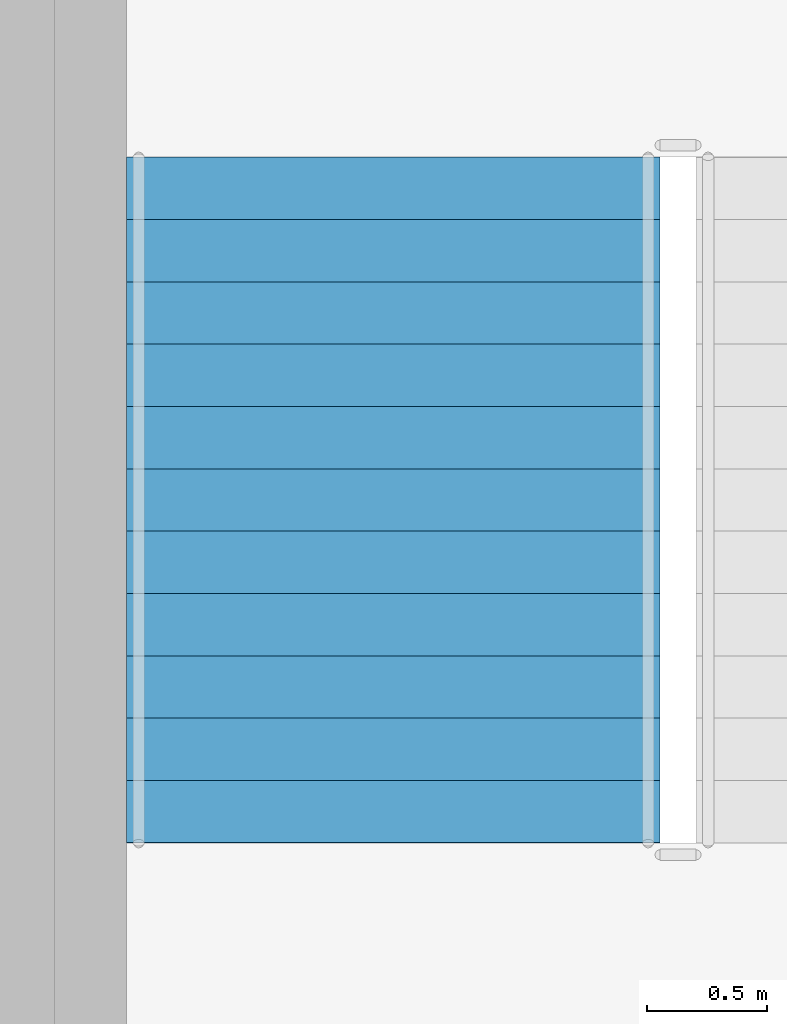
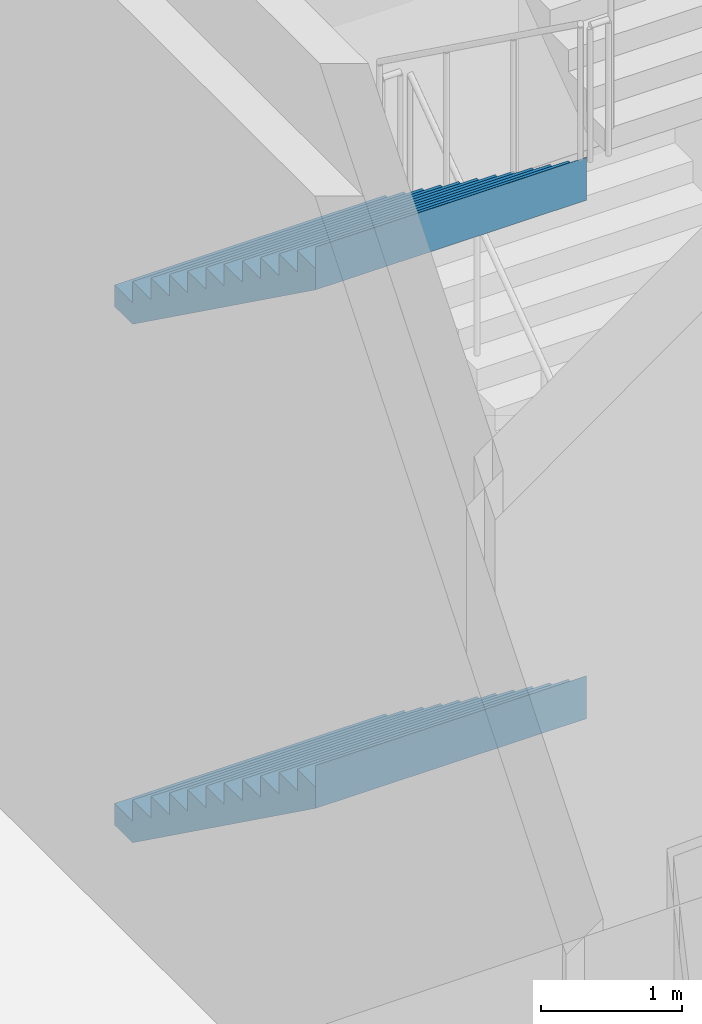
# One storey, part 15 of 35: 2 stair flights, 1 element without a shape of its own.
"""IFC4 building model written with IfcOpenShell, lengths in metres."""

from ifc_helpers import new_model, si_unit, direction, frame, origin, place, context, subcontext, project, spatial, triangles, material, type_object, element, aggregate, save


model = new_model("IFC4")

# Units and contexts
model_context = context("Model", 3, precision=1e-05, world=origin(), true_north=direction((0.0, 1.0)))
body_context = subcontext(model_context, "Body", "Model", "MODEL_VIEW")
ifc_project = project(units=[si_unit("LENGTHUNIT", "METRE"), si_unit("AREAUNIT", "SQUARE_METRE"), si_unit("VOLUMEUNIT", "CUBIC_METRE"), si_unit("PLANEANGLEUNIT", "RADIAN"), si_unit("MASSUNIT", "GRAM", prefix="KILO")], contexts=[model_context])

# Site, building, storey
site_placement = place(None, origin())
site = spatial("IfcSite", under=ifc_project, at=site_placement, CompositionType="ELEMENT")
building_placement = place(site_placement, origin())
building = spatial("IfcBuilding", under=site, at=building_placement, Name="Sahrelin Media Tower", CompositionType="ELEMENT")
storey_placement = place(building_placement, frame((0.0, 0.0, 8.0)))
storey = spatial("IfcBuildingStorey", under=building, at=storey_placement, Name="L01", CompositionType="ELEMENT", Elevation=8.0)

# Stair, stair flights
ifc_material = material(Name="Concrete C40/50", Category="concrete")
stair_type = type_object("IfcStairType", Name="Podium stair 2225", PredefinedType="HALF_TURN_STAIR", material=ifc_material)
stair_placement = place(storey_placement, origin())
stair = element("IfcStair", 1, at=stair_placement, inside=storey, type_object=stair_type, Name="L01 Podium stair PS3", PredefinedType="HALF_TURN_STAIR")
stair_flight_type = type_object("IfcStairFlightType", Name="Stair flight 2225", PredefinedType="STRAIGHT", material=ifc_material)
stair_flight_1_placement = place(storey_placement, frame((-11.83740234375, -30.625, 0.0), z_axis=(0.0, 0.0, 1.0), x_axis=(0.0, -1.0, 0.0)))
stair_flight_1 = element("IfcStairFlight", 2, at=stair_flight_1_placement, type_object=stair_flight_type, Name="PS3 flight 1", NumberOfRisers=12, NumberOfTreads=11, PredefinedType="STRAIGHT", RiserHeight=0.1875, TreadLength=0.26, context=body_context, shape_type="Tessellation", body=[
    triangles([(0.25634765625, 1.112548828125, 0.0), (0.25634765625, 0.794677734375, 0.0), (0.25634765625, 0.476806640625, 0.0), (0.25634765625, 0.158935546875, 0.0), (0.25634765625, -0.158935546875, 0.0), (0.25634765625, -0.476806640625, 0.0), (0.25634765625, -0.794677734375, 0.0), (0.25634765625, -1.112548828125, 0.0), (2.860107421875, 1.112548828125, 1.877685546875), (2.860107421875, 0.794677734375, 1.877685546875), (2.860107421875, 0.476806640625, 1.877685546875), (2.860107421875, 0.158935546875, 1.877685546875), (2.860107421875, -0.158935546875, 1.877685546875), (2.860107421875, -0.476806640625, 1.877685546875), (2.860107421875, -0.794677734375, 1.877685546875), (2.860107421875, -1.112548828125, 1.877685546875), (2.860107421875, 1.112548828125, 2.25), (2.860107421875, 0.794677734375, 2.25), (2.860107421875, 0.476806640625, 2.25), (2.860107421875, 0.158935546875, 2.25), (2.860107421875, -0.158935546875, 2.25), (2.860107421875, -0.476806640625, 2.25), (2.860107421875, -0.794677734375, 2.25), (2.860107421875, -1.112548828125, 2.25), (2.85791015625, 1.112548828125, 2.25), (2.85791015625, 0.794677734375, 2.25), (2.85791015625, 0.476806640625, 2.25), (2.85791015625, 0.158935546875, 2.25), (2.85791015625, -0.158935546875, 2.25), (2.85791015625, -0.476806640625, 2.25), (2.85791015625, -0.794677734375, 2.25), (2.85791015625, -1.112548828125, 2.25), (2.85791015625, 1.112548828125, 2.0625), (2.85791015625, 0.794677734375, 2.0625), (2.85791015625, 0.476806640625, 2.0625), (2.85791015625, 0.158935546875, 2.0625), (2.85791015625, -0.158935546875, 2.0625), (2.85791015625, -0.476806640625, 2.0625), (2.85791015625, -0.794677734375, 2.0625), (2.85791015625, -1.112548828125, 2.0625), (2.60009765625, 1.112548828125, 2.0625), (2.60009765625, 0.794677734375, 2.0625), (2.60009765625, 0.476806640625, 2.0625), (2.60009765625, 0.158935546875, 2.0625), (2.60009765625, -0.158935546875, 2.0625), (2.60009765625, -0.476806640625, 2.0625), (2.60009765625, -0.794677734375, 2.0625), (2.60009765625, -1.112548828125, 2.0625), (2.60009765625, 1.112548828125, 1.875), (2.60009765625, 0.794677734375, 1.875), (2.60009765625, 0.476806640625, 1.875), (2.60009765625, 0.158935546875, 1.875), (2.60009765625, -0.158935546875, 1.875), (2.60009765625, -0.476806640625, 1.875), (2.60009765625, -0.794677734375, 1.875), (2.60009765625, -1.112548828125, 1.875), (2.340087890625, 1.112548828125, 1.875), (2.340087890625, 0.794677734375, 1.875), (2.340087890625, 0.476806640625, 1.875), (2.340087890625, 0.158935546875, 1.875), (2.340087890625, -0.158935546875, 1.875), (2.340087890625, -0.476806640625, 1.875), (2.340087890625, -0.794677734375, 1.875), (2.340087890625, -1.112548828125, 1.875), (2.340087890625, 1.112548828125, 1.6875), (2.340087890625, 0.794677734375, 1.6875), (2.340087890625, 0.476806640625, 1.6875), (2.340087890625, 0.158935546875, 1.6875), (2.340087890625, -0.158935546875, 1.6875), (2.340087890625, -0.476806640625, 1.6875), (2.340087890625, -0.794677734375, 1.6875), (2.340087890625, -1.112548828125, 1.6875), (2.080078125, 1.112548828125, 1.6875), (2.080078125, 0.794677734375, 1.6875), (2.080078125, 0.476806640625, 1.6875), (2.080078125, 0.158935546875, 1.6875), (2.080078125, -0.158935546875, 1.6875), (2.080078125, -0.476806640625, 1.6875), (2.080078125, -0.794677734375, 1.6875), (2.080078125, -1.112548828125, 1.6875), (2.080078125, 1.112548828125, 1.5), (2.080078125, 0.794677734375, 1.5), (2.080078125, 0.476806640625, 1.5), (2.080078125, 0.158935546875, 1.5), (2.080078125, -0.158935546875, 1.5), (2.080078125, -0.476806640625, 1.5), (2.080078125, -0.794677734375, 1.5), (2.080078125, -1.112548828125, 1.5), (1.820068359375, 1.112548828125, 1.5), (1.820068359375, 0.794677734375, 1.5), (1.820068359375, 0.476806640625, 1.5), (1.820068359375, 0.158935546875, 1.5), (1.820068359375, -0.158935546875, 1.5), (1.820068359375, -0.476806640625, 1.5), (1.820068359375, -0.794677734375, 1.5), (1.820068359375, -1.112548828125, 1.5), (1.820068359375, 1.112548828125, 1.3125), (1.820068359375, 0.794677734375, 1.3125), (1.820068359375, 0.476806640625, 1.3125), (1.820068359375, 0.158935546875, 1.3125), (1.820068359375, -0.158935546875, 1.3125), (1.820068359375, -0.476806640625, 1.3125), (1.820068359375, -0.794677734375, 1.3125), (1.820068359375, -1.112548828125, 1.3125), (1.56005859375, 1.112548828125, 1.3125), (1.56005859375, 0.794677734375, 1.3125), (1.56005859375, 0.476806640625, 1.3125), (1.56005859375, 0.158935546875, 1.3125), (1.56005859375, -0.158935546875, 1.3125), (1.56005859375, -0.476806640625, 1.3125), (1.56005859375, -0.794677734375, 1.3125), (1.56005859375, -1.112548828125, 1.3125), (1.56005859375, 1.112548828125, 1.125), (1.56005859375, 0.794677734375, 1.125), (1.56005859375, 0.476806640625, 1.125), (1.56005859375, 0.158935546875, 1.125), (1.56005859375, -0.158935546875, 1.125), (1.56005859375, -0.476806640625, 1.125), (1.56005859375, -0.794677734375, 1.125), (1.56005859375, -1.112548828125, 1.125), (1.300048828125, 1.112548828125, 1.125), (1.300048828125, 0.794677734375, 1.125), (1.300048828125, 0.476806640625, 1.125), (1.300048828125, 0.158935546875, 1.125), (1.300048828125, -0.158935546875, 1.125), (1.300048828125, -0.476806640625, 1.125), (1.300048828125, -0.794677734375, 1.125), (1.300048828125, -1.112548828125, 1.125), (1.300048828125, 1.112548828125, 0.9375), (1.300048828125, 0.794677734375, 0.9375), (1.300048828125, 0.476806640625, 0.9375), (1.300048828125, 0.158935546875, 0.9375), (1.300048828125, -0.158935546875, 0.9375), (1.300048828125, -0.476806640625, 0.9375), (1.300048828125, -0.794677734375, 0.9375), (1.300048828125, -1.112548828125, 0.9375), (1.0400390625, 1.112548828125, 0.9375), (1.0400390625, 0.794677734375, 0.9375), (1.0400390625, 0.476806640625, 0.9375), (1.0400390625, 0.158935546875, 0.9375), (1.0400390625, -0.158935546875, 0.9375), (1.0400390625, -0.476806640625, 0.9375), (1.0400390625, -0.794677734375, 0.9375), (1.0400390625, -1.112548828125, 0.9375), (1.0400390625, 1.112548828125, 0.75), (1.0400390625, 0.794677734375, 0.75), (1.0400390625, 0.476806640625, 0.75), (1.0400390625, 0.158935546875, 0.75), (1.0400390625, -0.158935546875, 0.75), (1.0400390625, -0.476806640625, 0.75), (1.0400390625, -0.794677734375, 0.75), (1.0400390625, -1.112548828125, 0.75), (0.780029296875, 1.112548828125, 0.75), (0.780029296875, 0.794677734375, 0.75), (0.780029296875, 0.476806640625, 0.75), (0.780029296875, 0.158935546875, 0.75), (0.780029296875, -0.158935546875, 0.75), (0.780029296875, -0.476806640625, 0.75), (0.780029296875, -0.794677734375, 0.75), (0.780029296875, -1.112548828125, 0.75), (0.780029296875, 1.112548828125, 0.5625), (0.780029296875, 0.794677734375, 0.5625), (0.780029296875, 0.476806640625, 0.5625), (0.780029296875, 0.158935546875, 0.5625), (0.780029296875, -0.158935546875, 0.5625), (0.780029296875, -0.476806640625, 0.5625), (0.780029296875, -0.794677734375, 0.5625), (0.780029296875, -1.112548828125, 0.5625), (0.52001953125, 1.112548828125, 0.5625), (0.52001953125, 0.794677734375, 0.5625), (0.52001953125, 0.476806640625, 0.5625), (0.52001953125, 0.158935546875, 0.5625), (0.52001953125, -0.158935546875, 0.5625), (0.52001953125, -0.476806640625, 0.5625), (0.52001953125, -0.794677734375, 0.5625), (0.52001953125, -1.112548828125, 0.5625), (0.52001953125, 1.112548828125, 0.375), (0.52001953125, 0.794677734375, 0.375), (0.52001953125, 0.476806640625, 0.375), (0.52001953125, 0.158935546875, 0.375), (0.52001953125, -0.158935546875, 0.375), (0.52001953125, -0.476806640625, 0.375), (0.52001953125, -0.794677734375, 0.375), (0.52001953125, -1.112548828125, 0.375), (0.260009765625, 1.112548828125, 0.375), (0.260009765625, 0.794677734375, 0.375), (0.260009765625, 0.476806640625, 0.375), (0.260009765625, 0.158935546875, 0.375), (0.260009765625, -0.158935546875, 0.375), (0.260009765625, -0.476806640625, 0.375), (0.260009765625, -0.794677734375, 0.375), (0.260009765625, -1.112548828125, 0.375), (0.260009765625, 1.112548828125, 0.1875), (0.260009765625, 0.794677734375, 0.1875), (0.260009765625, 0.476806640625, 0.1875), (0.260009765625, 0.158935546875, 0.1875), (0.260009765625, -0.158935546875, 0.1875), (0.260009765625, -0.476806640625, 0.1875), (0.260009765625, -0.794677734375, 0.1875), (0.260009765625, -1.112548828125, 0.1875), (0.0, 1.112548828125, 0.1875), (0.0, 0.794677734375, 0.1875), (0.0, 0.476806640625, 0.1875), (0.0, 0.158935546875, 0.1875), (0.0, -0.158935546875, 0.1875), (0.0, -0.476806640625, 0.1875), (0.0, -0.794677734375, 0.1875), (0.0, -1.112548828125, 0.1875), (0.0, 1.112548828125, 0.0), (0.0, 0.794677734375, 0.0), (0.0, 0.476806640625, 0.0), (0.0, 0.158935546875, 0.0), (0.0, -0.158935546875, 0.0), (0.0, -0.476806640625, 0.0), (0.0, -0.794677734375, 0.0), (0.0, -1.112548828125, 0.0)], [[1, 9, 10], [1, 10, 2], [2, 10, 11], [2, 11, 3], [3, 11, 12], [3, 12, 4], [4, 12, 13], [4, 13, 5], [5, 13, 14], [5, 14, 6], [6, 14, 15], [6, 15, 7], [7, 15, 16], [7, 16, 8], [9, 17, 18], [9, 18, 10], [10, 18, 19], [10, 19, 11], [11, 19, 20], [11, 20, 12], [12, 20, 21], [12, 21, 13], [13, 21, 22], [13, 22, 14], [14, 22, 23], [14, 23, 15], [15, 23, 24], [15, 24, 16], [17, 25, 26], [17, 26, 18], [18, 26, 27], [18, 27, 19], [19, 27, 28], [19, 28, 20], [20, 28, 29], [20, 29, 21], [21, 29, 30], [21, 30, 22], [22, 30, 31], [22, 31, 23], [23, 31, 32], [23, 32, 24], [25, 33, 34], [25, 34, 26], [26, 34, 35], [26, 35, 27], [27, 35, 36], [27, 36, 28], [28, 36, 37], [28, 37, 29], [29, 37, 38], [29, 38, 30], [30, 38, 39], [30, 39, 31], [31, 39, 40], [31, 40, 32], [33, 41, 42], [33, 42, 34], [34, 42, 43], [34, 43, 35], [35, 43, 44], [35, 44, 36], [36, 44, 45], [36, 45, 37], [37, 45, 46], [37, 46, 38], [38, 46, 47], [38, 47, 39], [39, 47, 48], [39, 48, 40], [41, 49, 50], [41, 50, 42], [42, 50, 51], [42, 51, 43], [43, 51, 52], [43, 52, 44], [44, 52, 53], [44, 53, 45], [45, 53, 54], [45, 54, 46], [46, 54, 55], [46, 55, 47], [47, 55, 56], [47, 56, 48], [49, 57, 58], [49, 58, 50], [50, 58, 59], [50, 59, 51], [51, 59, 60], [51, 60, 52], [52, 60, 61], [52, 61, 53], [53, 61, 62], [53, 62, 54], [54, 62, 63], [54, 63, 55], [55, 63, 64], [55, 64, 56], [57, 65, 66], [57, 66, 58], [58, 66, 67], [58, 67, 59], [59, 67, 68], [59, 68, 60], [60, 68, 69], [60, 69, 61], [61, 69, 70], [61, 70, 62], [62, 70, 71], [62, 71, 63], [63, 71, 72], [63, 72, 64], [65, 73, 74], [65, 74, 66], [66, 74, 75], [66, 75, 67], [67, 75, 76], [67, 76, 68], [68, 76, 77], [68, 77, 69], [69, 77, 78], [69, 78, 70], [70, 78, 79], [70, 79, 71], [71, 79, 80], [71, 80, 72], [73, 81, 82], [73, 82, 74], [74, 82, 83], [74, 83, 75], [75, 83, 84], [75, 84, 76], [76, 84, 85], [76, 85, 77], [77, 85, 86], [77, 86, 78], [78, 86, 87], [78, 87, 79], [79, 87, 88], [79, 88, 80], [81, 89, 90], [81, 90, 82], [82, 90, 91], [82, 91, 83], [83, 91, 92], [83, 92, 84], [84, 92, 93], [84, 93, 85], [85, 93, 94], [85, 94, 86], [86, 94, 95], [86, 95, 87], [87, 95, 96], [87, 96, 88], [89, 97, 98], [89, 98, 90], [90, 98, 99], [90, 99, 91], [91, 99, 100], [91, 100, 92], [92, 100, 101], [92, 101, 93], [93, 101, 102], [93, 102, 94], [94, 102, 103], [94, 103, 95], [95, 103, 104], [95, 104, 96], [97, 105, 106], [97, 106, 98], [98, 106, 107], [98, 107, 99], [99, 107, 108], [99, 108, 100], [100, 108, 109], [100, 109, 101], [101, 109, 110], [101, 110, 102], [102, 110, 111], [102, 111, 103], [103, 111, 112], [103, 112, 104], [105, 113, 114], [105, 114, 106], [106, 114, 115], [106, 115, 107], [107, 115, 116], [107, 116, 108], [108, 116, 117], [108, 117, 109], [109, 117, 118], [109, 118, 110], [110, 118, 119], [110, 119, 111], [111, 119, 120], [111, 120, 112], [113, 121, 122], [113, 122, 114], [114, 122, 123], [114, 123, 115], [115, 123, 124], [115, 124, 116], [116, 124, 125], [116, 125, 117], [117, 125, 126], [117, 126, 118], [118, 126, 127], [118, 127, 119], [119, 127, 128], [119, 128, 120], [121, 129, 130], [121, 130, 122], [122, 130, 131], [122, 131, 123], [123, 131, 132], [123, 132, 124], [124, 132, 133], [124, 133, 125], [125, 133, 134], [125, 134, 126], [126, 134, 135], [126, 135, 127], [127, 135, 136], [127, 136, 128], [129, 137, 138], [129, 138, 130], [130, 138, 139], [130, 139, 131], [131, 139, 140], [131, 140, 132], [132, 140, 141], [132, 141, 133], [133, 141, 142], [133, 142, 134], [134, 142, 143], [134, 143, 135], [135, 143, 144], [135, 144, 136], [137, 145, 146], [137, 146, 138], [138, 146, 147], [138, 147, 139], [139, 147, 148], [139, 148, 140], [140, 148, 149], [140, 149, 141], [141, 149, 150], [141, 150, 142], [142, 150, 151], [142, 151, 143], [143, 151, 152], [143, 152, 144], [145, 153, 154], [145, 154, 146], [146, 154, 155], [146, 155, 147], [147, 155, 156], [147, 156, 148], [148, 156, 157], [148, 157, 149], [149, 157, 158], [149, 158, 150], [150, 158, 159], [150, 159, 151], [151, 159, 160], [151, 160, 152], [153, 161, 162], [153, 162, 154], [154, 162, 163], [154, 163, 155], [155, 163, 164], [155, 164, 156], [156, 164, 165], [156, 165, 157], [157, 165, 166], [157, 166, 158], [158, 166, 167], [158, 167, 159], [159, 167, 168], [159, 168, 160], [161, 169, 170], [161, 170, 162], [162, 170, 171], [162, 171, 163], [163, 171, 172], [163, 172, 164], [164, 172, 173], [164, 173, 165], [165, 173, 174], [165, 174, 166], [166, 174, 175], [166, 175, 167], [167, 175, 176], [167, 176, 168], [169, 177, 178], [169, 178, 170], [170, 178, 179], [170, 179, 171], [171, 179, 180], [171, 180, 172], [172, 180, 181], [172, 181, 173], [173, 181, 182], [173, 182, 174], [174, 182, 183], [174, 183, 175], [175, 183, 184], [175, 184, 176], [177, 185, 186], [177, 186, 178], [178, 186, 187], [178, 187, 179], [179, 187, 188], [179, 188, 180], [180, 188, 189], [180, 189, 181], [181, 189, 190], [181, 190, 182], [182, 190, 191], [182, 191, 183], [183, 191, 192], [183, 192, 184], [185, 193, 194], [185, 194, 186], [186, 194, 195], [186, 195, 187], [187, 195, 196], [187, 196, 188], [188, 196, 197], [188, 197, 189], [189, 197, 198], [189, 198, 190], [190, 198, 199], [190, 199, 191], [191, 199, 200], [191, 200, 192], [193, 201, 202], [193, 202, 194], [194, 202, 203], [194, 203, 195], [195, 203, 204], [195, 204, 196], [196, 204, 205], [196, 205, 197], [197, 205, 206], [197, 206, 198], [198, 206, 207], [198, 207, 199], [199, 207, 208], [199, 208, 200], [201, 209, 210], [201, 210, 202], [202, 210, 211], [202, 211, 203], [203, 211, 212], [203, 212, 204], [204, 212, 213], [204, 213, 205], [205, 213, 214], [205, 214, 206], [206, 214, 215], [206, 215, 207], [207, 215, 216], [207, 216, 208], [209, 1, 2], [209, 2, 210], [210, 2, 3], [210, 3, 211], [211, 3, 4], [211, 4, 212], [212, 4, 5], [212, 5, 213], [213, 5, 6], [213, 6, 214], [214, 6, 7], [214, 7, 215], [215, 7, 8], [215, 8, 216], [8, 208, 216], [1, 209, 201], [200, 184, 192], [193, 185, 177], [184, 168, 176], [177, 169, 161], [168, 152, 160], [161, 153, 145], [152, 136, 144], [145, 137, 129], [136, 120, 128], [129, 121, 113], [120, 104, 112], [113, 105, 97], [104, 88, 96], [97, 89, 81], [88, 72, 80], [81, 73, 65], [72, 56, 64], [65, 57, 49], [56, 40, 48], [49, 41, 33], [40, 24, 32], [33, 25, 17], [8, 200, 208], [1, 201, 193], [16, 56, 72], [9, 65, 49], [40, 16, 24], [33, 17, 9], [184, 200, 8], [177, 1, 193], [56, 16, 40], [49, 33, 9], [168, 184, 8], [161, 1, 177], [72, 88, 16], [65, 9, 81], [152, 168, 8], [145, 1, 161], [104, 16, 88], [97, 81, 9], [136, 152, 8], [129, 1, 145], [120, 16, 104], [113, 97, 9], [120, 136, 8], [113, 1, 129], [8, 16, 120], [1, 113, 9]], closed=True),
])
stair_flight_2_placement = place(storey_placement, frame((-11.83740234375, -30.625, 4.5), z_axis=(0.0, 0.0, 1.0), x_axis=(0.0, -1.0, 0.0)))
stair_flight_2 = element("IfcStairFlight", 3, at=stair_flight_2_placement, type_object=stair_flight_type, Name="PS3 flight 3", NumberOfRisers=12, NumberOfTreads=11, PredefinedType="STRAIGHT", RiserHeight=0.1875, TreadLength=0.26, context=body_context, shape_type="Tessellation", body=[
    triangles([(0.25634765625, 1.112548828125, 0.0), (0.25634765625, 0.794677734375, 0.0), (0.25634765625, 0.476806640625, 0.0), (0.25634765625, 0.158935546875, 0.0), (0.25634765625, -0.158935546875, 0.0), (0.25634765625, -0.476806640625, 0.0), (0.25634765625, -0.794677734375, 0.0), (0.25634765625, -1.112548828125, 0.0), (2.860107421875, 1.112548828125, 1.877685546875), (2.860107421875, 0.794677734375, 1.877685546875), (2.860107421875, 0.476806640625, 1.877685546875), (2.860107421875, 0.158935546875, 1.877685546875), (2.860107421875, -0.158935546875, 1.877685546875), (2.860107421875, -0.476806640625, 1.877685546875), (2.860107421875, -0.794677734375, 1.877685546875), (2.860107421875, -1.112548828125, 1.877685546875), (2.860107421875, 1.112548828125, 2.25), (2.860107421875, 0.794677734375, 2.25), (2.860107421875, 0.476806640625, 2.25), (2.860107421875, 0.158935546875, 2.25), (2.860107421875, -0.158935546875, 2.25), (2.860107421875, -0.476806640625, 2.25), (2.860107421875, -0.794677734375, 2.25), (2.860107421875, -1.112548828125, 2.25), (2.85791015625, 1.112548828125, 2.25), (2.85791015625, 0.794677734375, 2.25), (2.85791015625, 0.476806640625, 2.25), (2.85791015625, 0.158935546875, 2.25), (2.85791015625, -0.158935546875, 2.25), (2.85791015625, -0.476806640625, 2.25), (2.85791015625, -0.794677734375, 2.25), (2.85791015625, -1.112548828125, 2.25), (2.85791015625, 1.112548828125, 2.0625), (2.85791015625, 0.794677734375, 2.0625), (2.85791015625, 0.476806640625, 2.0625), (2.85791015625, 0.158935546875, 2.0625), (2.85791015625, -0.158935546875, 2.0625), (2.85791015625, -0.476806640625, 2.0625), (2.85791015625, -0.794677734375, 2.0625), (2.85791015625, -1.112548828125, 2.0625), (2.60009765625, 1.112548828125, 2.0625), (2.60009765625, 0.794677734375, 2.0625), (2.60009765625, 0.476806640625, 2.0625), (2.60009765625, 0.158935546875, 2.0625), (2.60009765625, -0.158935546875, 2.0625), (2.60009765625, -0.476806640625, 2.0625), (2.60009765625, -0.794677734375, 2.0625), (2.60009765625, -1.112548828125, 2.0625), (2.60009765625, 1.112548828125, 1.875), (2.60009765625, 0.794677734375, 1.875), (2.60009765625, 0.476806640625, 1.875), (2.60009765625, 0.158935546875, 1.875), (2.60009765625, -0.158935546875, 1.875), (2.60009765625, -0.476806640625, 1.875), (2.60009765625, -0.794677734375, 1.875), (2.60009765625, -1.112548828125, 1.875), (2.340087890625, 1.112548828125, 1.875), (2.340087890625, 0.794677734375, 1.875), (2.340087890625, 0.476806640625, 1.875), (2.340087890625, 0.158935546875, 1.875), (2.340087890625, -0.158935546875, 1.875), (2.340087890625, -0.476806640625, 1.875), (2.340087890625, -0.794677734375, 1.875), (2.340087890625, -1.112548828125, 1.875), (2.340087890625, 1.112548828125, 1.6875), (2.340087890625, 0.794677734375, 1.6875), (2.340087890625, 0.476806640625, 1.6875), (2.340087890625, 0.158935546875, 1.6875), (2.340087890625, -0.158935546875, 1.6875), (2.340087890625, -0.476806640625, 1.6875), (2.340087890625, -0.794677734375, 1.6875), (2.340087890625, -1.112548828125, 1.6875), (2.080078125, 1.112548828125, 1.6875), (2.080078125, 0.794677734375, 1.6875), (2.080078125, 0.476806640625, 1.6875), (2.080078125, 0.158935546875, 1.6875), (2.080078125, -0.158935546875, 1.6875), (2.080078125, -0.476806640625, 1.6875), (2.080078125, -0.794677734375, 1.6875), (2.080078125, -1.112548828125, 1.6875), (2.080078125, 1.112548828125, 1.5), (2.080078125, 0.794677734375, 1.5), (2.080078125, 0.476806640625, 1.5), (2.080078125, 0.158935546875, 1.5), (2.080078125, -0.158935546875, 1.5), (2.080078125, -0.476806640625, 1.5), (2.080078125, -0.794677734375, 1.5), (2.080078125, -1.112548828125, 1.5), (1.820068359375, 1.112548828125, 1.5), (1.820068359375, 0.794677734375, 1.5), (1.820068359375, 0.476806640625, 1.5), (1.820068359375, 0.158935546875, 1.5), (1.820068359375, -0.158935546875, 1.5), (1.820068359375, -0.476806640625, 1.5), (1.820068359375, -0.794677734375, 1.5), (1.820068359375, -1.112548828125, 1.5), (1.820068359375, 1.112548828125, 1.3125), (1.820068359375, 0.794677734375, 1.3125), (1.820068359375, 0.476806640625, 1.3125), (1.820068359375, 0.158935546875, 1.3125), (1.820068359375, -0.158935546875, 1.3125), (1.820068359375, -0.476806640625, 1.3125), (1.820068359375, -0.794677734375, 1.3125), (1.820068359375, -1.112548828125, 1.3125), (1.56005859375, 1.112548828125, 1.3125), (1.56005859375, 0.794677734375, 1.3125), (1.56005859375, 0.476806640625, 1.3125), (1.56005859375, 0.158935546875, 1.3125), (1.56005859375, -0.158935546875, 1.3125), (1.56005859375, -0.476806640625, 1.3125), (1.56005859375, -0.794677734375, 1.3125), (1.56005859375, -1.112548828125, 1.3125), (1.56005859375, 1.112548828125, 1.125), (1.56005859375, 0.794677734375, 1.125), (1.56005859375, 0.476806640625, 1.125), (1.56005859375, 0.158935546875, 1.125), (1.56005859375, -0.158935546875, 1.125), (1.56005859375, -0.476806640625, 1.125), (1.56005859375, -0.794677734375, 1.125), (1.56005859375, -1.112548828125, 1.125), (1.300048828125, 1.112548828125, 1.125), (1.300048828125, 0.794677734375, 1.125), (1.300048828125, 0.476806640625, 1.125), (1.300048828125, 0.158935546875, 1.125), (1.300048828125, -0.158935546875, 1.125), (1.300048828125, -0.476806640625, 1.125), (1.300048828125, -0.794677734375, 1.125), (1.300048828125, -1.112548828125, 1.125), (1.300048828125, 1.112548828125, 0.9375), (1.300048828125, 0.794677734375, 0.9375), (1.300048828125, 0.476806640625, 0.9375), (1.300048828125, 0.158935546875, 0.9375), (1.300048828125, -0.158935546875, 0.9375), (1.300048828125, -0.476806640625, 0.9375), (1.300048828125, -0.794677734375, 0.9375), (1.300048828125, -1.112548828125, 0.9375), (1.0400390625, 1.112548828125, 0.9375), (1.0400390625, 0.794677734375, 0.9375), (1.0400390625, 0.476806640625, 0.9375), (1.0400390625, 0.158935546875, 0.9375), (1.0400390625, -0.158935546875, 0.9375), (1.0400390625, -0.476806640625, 0.9375), (1.0400390625, -0.794677734375, 0.9375), (1.0400390625, -1.112548828125, 0.9375), (1.0400390625, 1.112548828125, 0.75), (1.0400390625, 0.794677734375, 0.75), (1.0400390625, 0.476806640625, 0.75), (1.0400390625, 0.158935546875, 0.75), (1.0400390625, -0.158935546875, 0.75), (1.0400390625, -0.476806640625, 0.75), (1.0400390625, -0.794677734375, 0.75), (1.0400390625, -1.112548828125, 0.75), (0.780029296875, 1.112548828125, 0.75), (0.780029296875, 0.794677734375, 0.75), (0.780029296875, 0.476806640625, 0.75), (0.780029296875, 0.158935546875, 0.75), (0.780029296875, -0.158935546875, 0.75), (0.780029296875, -0.476806640625, 0.75), (0.780029296875, -0.794677734375, 0.75), (0.780029296875, -1.112548828125, 0.75), (0.780029296875, 1.112548828125, 0.5625), (0.780029296875, 0.794677734375, 0.5625), (0.780029296875, 0.476806640625, 0.5625), (0.780029296875, 0.158935546875, 0.5625), (0.780029296875, -0.158935546875, 0.5625), (0.780029296875, -0.476806640625, 0.5625), (0.780029296875, -0.794677734375, 0.5625), (0.780029296875, -1.112548828125, 0.5625), (0.52001953125, 1.112548828125, 0.5625), (0.52001953125, 0.794677734375, 0.5625), (0.52001953125, 0.476806640625, 0.5625), (0.52001953125, 0.158935546875, 0.5625), (0.52001953125, -0.158935546875, 0.5625), (0.52001953125, -0.476806640625, 0.5625), (0.52001953125, -0.794677734375, 0.5625), (0.52001953125, -1.112548828125, 0.5625), (0.52001953125, 1.112548828125, 0.375), (0.52001953125, 0.794677734375, 0.375), (0.52001953125, 0.476806640625, 0.375), (0.52001953125, 0.158935546875, 0.375), (0.52001953125, -0.158935546875, 0.375), (0.52001953125, -0.476806640625, 0.375), (0.52001953125, -0.794677734375, 0.375), (0.52001953125, -1.112548828125, 0.375), (0.260009765625, 1.112548828125, 0.375), (0.260009765625, 0.794677734375, 0.375), (0.260009765625, 0.476806640625, 0.375), (0.260009765625, 0.158935546875, 0.375), (0.260009765625, -0.158935546875, 0.375), (0.260009765625, -0.476806640625, 0.375), (0.260009765625, -0.794677734375, 0.375), (0.260009765625, -1.112548828125, 0.375), (0.260009765625, 1.112548828125, 0.1875), (0.260009765625, 0.794677734375, 0.1875), (0.260009765625, 0.476806640625, 0.1875), (0.260009765625, 0.158935546875, 0.1875), (0.260009765625, -0.158935546875, 0.1875), (0.260009765625, -0.476806640625, 0.1875), (0.260009765625, -0.794677734375, 0.1875), (0.260009765625, -1.112548828125, 0.1875), (0.0, 1.112548828125, 0.1875), (0.0, 0.794677734375, 0.1875), (0.0, 0.476806640625, 0.1875), (0.0, 0.158935546875, 0.1875), (0.0, -0.158935546875, 0.1875), (0.0, -0.476806640625, 0.1875), (0.0, -0.794677734375, 0.1875), (0.0, -1.112548828125, 0.1875), (0.0, 1.112548828125, 0.0), (0.0, 0.794677734375, 0.0), (0.0, 0.476806640625, 0.0), (0.0, 0.158935546875, 0.0), (0.0, -0.158935546875, 0.0), (0.0, -0.476806640625, 0.0), (0.0, -0.794677734375, 0.0), (0.0, -1.112548828125, 0.0)], [[1, 9, 10], [1, 10, 2], [2, 10, 11], [2, 11, 3], [3, 11, 12], [3, 12, 4], [4, 12, 13], [4, 13, 5], [5, 13, 14], [5, 14, 6], [6, 14, 15], [6, 15, 7], [7, 15, 16], [7, 16, 8], [9, 17, 18], [9, 18, 10], [10, 18, 19], [10, 19, 11], [11, 19, 20], [11, 20, 12], [12, 20, 21], [12, 21, 13], [13, 21, 22], [13, 22, 14], [14, 22, 23], [14, 23, 15], [15, 23, 24], [15, 24, 16], [17, 25, 26], [17, 26, 18], [18, 26, 27], [18, 27, 19], [19, 27, 28], [19, 28, 20], [20, 28, 29], [20, 29, 21], [21, 29, 30], [21, 30, 22], [22, 30, 31], [22, 31, 23], [23, 31, 32], [23, 32, 24], [25, 33, 34], [25, 34, 26], [26, 34, 35], [26, 35, 27], [27, 35, 36], [27, 36, 28], [28, 36, 37], [28, 37, 29], [29, 37, 38], [29, 38, 30], [30, 38, 39], [30, 39, 31], [31, 39, 40], [31, 40, 32], [33, 41, 42], [33, 42, 34], [34, 42, 43], [34, 43, 35], [35, 43, 44], [35, 44, 36], [36, 44, 45], [36, 45, 37], [37, 45, 46], [37, 46, 38], [38, 46, 47], [38, 47, 39], [39, 47, 48], [39, 48, 40], [41, 49, 50], [41, 50, 42], [42, 50, 51], [42, 51, 43], [43, 51, 52], [43, 52, 44], [44, 52, 53], [44, 53, 45], [45, 53, 54], [45, 54, 46], [46, 54, 55], [46, 55, 47], [47, 55, 56], [47, 56, 48], [49, 57, 58], [49, 58, 50], [50, 58, 59], [50, 59, 51], [51, 59, 60], [51, 60, 52], [52, 60, 61], [52, 61, 53], [53, 61, 62], [53, 62, 54], [54, 62, 63], [54, 63, 55], [55, 63, 64], [55, 64, 56], [57, 65, 66], [57, 66, 58], [58, 66, 67], [58, 67, 59], [59, 67, 68], [59, 68, 60], [60, 68, 69], [60, 69, 61], [61, 69, 70], [61, 70, 62], [62, 70, 71], [62, 71, 63], [63, 71, 72], [63, 72, 64], [65, 73, 74], [65, 74, 66], [66, 74, 75], [66, 75, 67], [67, 75, 76], [67, 76, 68], [68, 76, 77], [68, 77, 69], [69, 77, 78], [69, 78, 70], [70, 78, 79], [70, 79, 71], [71, 79, 80], [71, 80, 72], [73, 81, 82], [73, 82, 74], [74, 82, 83], [74, 83, 75], [75, 83, 84], [75, 84, 76], [76, 84, 85], [76, 85, 77], [77, 85, 86], [77, 86, 78], [78, 86, 87], [78, 87, 79], [79, 87, 88], [79, 88, 80], [81, 89, 90], [81, 90, 82], [82, 90, 91], [82, 91, 83], [83, 91, 92], [83, 92, 84], [84, 92, 93], [84, 93, 85], [85, 93, 94], [85, 94, 86], [86, 94, 95], [86, 95, 87], [87, 95, 96], [87, 96, 88], [89, 97, 98], [89, 98, 90], [90, 98, 99], [90, 99, 91], [91, 99, 100], [91, 100, 92], [92, 100, 101], [92, 101, 93], [93, 101, 102], [93, 102, 94], [94, 102, 103], [94, 103, 95], [95, 103, 104], [95, 104, 96], [97, 105, 106], [97, 106, 98], [98, 106, 107], [98, 107, 99], [99, 107, 108], [99, 108, 100], [100, 108, 109], [100, 109, 101], [101, 109, 110], [101, 110, 102], [102, 110, 111], [102, 111, 103], [103, 111, 112], [103, 112, 104], [105, 113, 114], [105, 114, 106], [106, 114, 115], [106, 115, 107], [107, 115, 116], [107, 116, 108], [108, 116, 117], [108, 117, 109], [109, 117, 118], [109, 118, 110], [110, 118, 119], [110, 119, 111], [111, 119, 120], [111, 120, 112], [113, 121, 122], [113, 122, 114], [114, 122, 123], [114, 123, 115], [115, 123, 124], [115, 124, 116], [116, 124, 125], [116, 125, 117], [117, 125, 126], [117, 126, 118], [118, 126, 127], [118, 127, 119], [119, 127, 128], [119, 128, 120], [121, 129, 130], [121, 130, 122], [122, 130, 131], [122, 131, 123], [123, 131, 132], [123, 132, 124], [124, 132, 133], [124, 133, 125], [125, 133, 134], [125, 134, 126], [126, 134, 135], [126, 135, 127], [127, 135, 136], [127, 136, 128], [129, 137, 138], [129, 138, 130], [130, 138, 139], [130, 139, 131], [131, 139, 140], [131, 140, 132], [132, 140, 141], [132, 141, 133], [133, 141, 142], [133, 142, 134], [134, 142, 143], [134, 143, 135], [135, 143, 144], [135, 144, 136], [137, 145, 146], [137, 146, 138], [138, 146, 147], [138, 147, 139], [139, 147, 148], [139, 148, 140], [140, 148, 149], [140, 149, 141], [141, 149, 150], [141, 150, 142], [142, 150, 151], [142, 151, 143], [143, 151, 152], [143, 152, 144], [145, 153, 154], [145, 154, 146], [146, 154, 155], [146, 155, 147], [147, 155, 156], [147, 156, 148], [148, 156, 157], [148, 157, 149], [149, 157, 158], [149, 158, 150], [150, 158, 159], [150, 159, 151], [151, 159, 160], [151, 160, 152], [153, 161, 162], [153, 162, 154], [154, 162, 163], [154, 163, 155], [155, 163, 164], [155, 164, 156], [156, 164, 165], [156, 165, 157], [157, 165, 166], [157, 166, 158], [158, 166, 167], [158, 167, 159], [159, 167, 168], [159, 168, 160], [161, 169, 170], [161, 170, 162], [162, 170, 171], [162, 171, 163], [163, 171, 172], [163, 172, 164], [164, 172, 173], [164, 173, 165], [165, 173, 174], [165, 174, 166], [166, 174, 175], [166, 175, 167], [167, 175, 176], [167, 176, 168], [169, 177, 178], [169, 178, 170], [170, 178, 179], [170, 179, 171], [171, 179, 180], [171, 180, 172], [172, 180, 181], [172, 181, 173], [173, 181, 182], [173, 182, 174], [174, 182, 183], [174, 183, 175], [175, 183, 184], [175, 184, 176], [177, 185, 186], [177, 186, 178], [178, 186, 187], [178, 187, 179], [179, 187, 188], [179, 188, 180], [180, 188, 189], [180, 189, 181], [181, 189, 190], [181, 190, 182], [182, 190, 191], [182, 191, 183], [183, 191, 192], [183, 192, 184], [185, 193, 194], [185, 194, 186], [186, 194, 195], [186, 195, 187], [187, 195, 196], [187, 196, 188], [188, 196, 197], [188, 197, 189], [189, 197, 198], [189, 198, 190], [190, 198, 199], [190, 199, 191], [191, 199, 200], [191, 200, 192], [193, 201, 202], [193, 202, 194], [194, 202, 203], [194, 203, 195], [195, 203, 204], [195, 204, 196], [196, 204, 205], [196, 205, 197], [197, 205, 206], [197, 206, 198], [198, 206, 207], [198, 207, 199], [199, 207, 208], [199, 208, 200], [201, 209, 210], [201, 210, 202], [202, 210, 211], [202, 211, 203], [203, 211, 212], [203, 212, 204], [204, 212, 213], [204, 213, 205], [205, 213, 214], [205, 214, 206], [206, 214, 215], [206, 215, 207], [207, 215, 216], [207, 216, 208], [209, 1, 2], [209, 2, 210], [210, 2, 3], [210, 3, 211], [211, 3, 4], [211, 4, 212], [212, 4, 5], [212, 5, 213], [213, 5, 6], [213, 6, 214], [214, 6, 7], [214, 7, 215], [215, 7, 8], [215, 8, 216], [8, 208, 216], [1, 209, 201], [200, 184, 192], [193, 185, 177], [184, 168, 176], [177, 169, 161], [168, 152, 160], [161, 153, 145], [152, 136, 144], [145, 137, 129], [136, 120, 128], [129, 121, 113], [120, 104, 112], [113, 105, 97], [104, 88, 96], [97, 89, 81], [88, 72, 80], [81, 73, 65], [72, 56, 64], [65, 57, 49], [56, 40, 48], [49, 41, 33], [40, 24, 32], [33, 25, 17], [8, 200, 208], [1, 201, 193], [16, 56, 72], [9, 65, 49], [40, 16, 24], [33, 17, 9], [184, 200, 8], [177, 1, 193], [56, 16, 40], [49, 33, 9], [168, 184, 8], [161, 1, 177], [72, 88, 16], [65, 9, 81], [152, 168, 8], [145, 1, 161], [104, 16, 88], [97, 81, 9], [136, 152, 8], [129, 1, 145], [120, 16, 104], [113, 97, 9], [120, 136, 8], [113, 1, 129], [8, 16, 120], [1, 113, 9]], closed=True),
])
aggregate(stair, [stair_flight_1, stair_flight_2])

save(model, "model.ifc")
